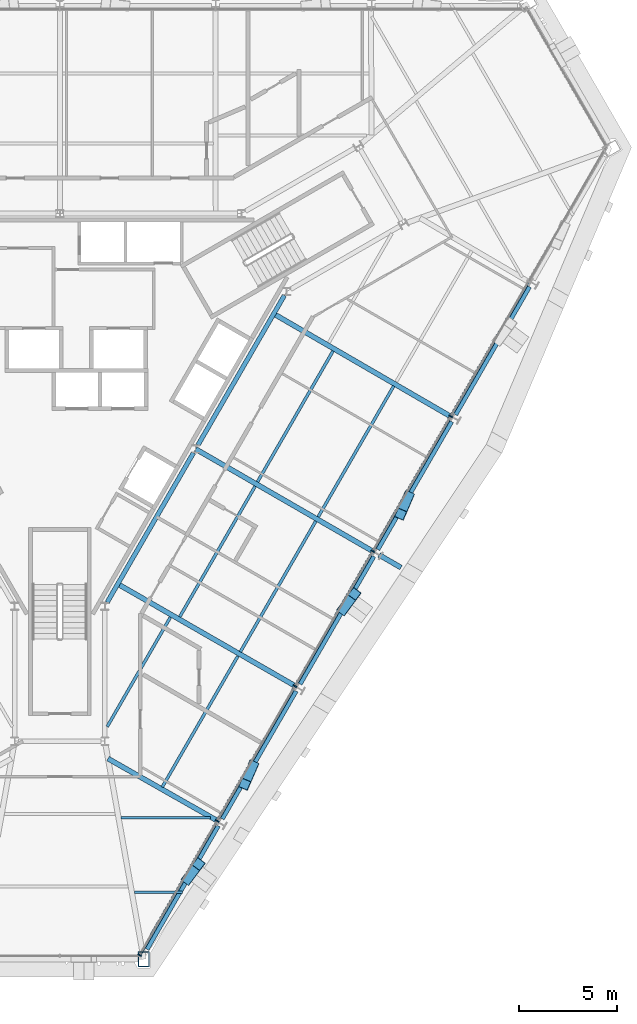
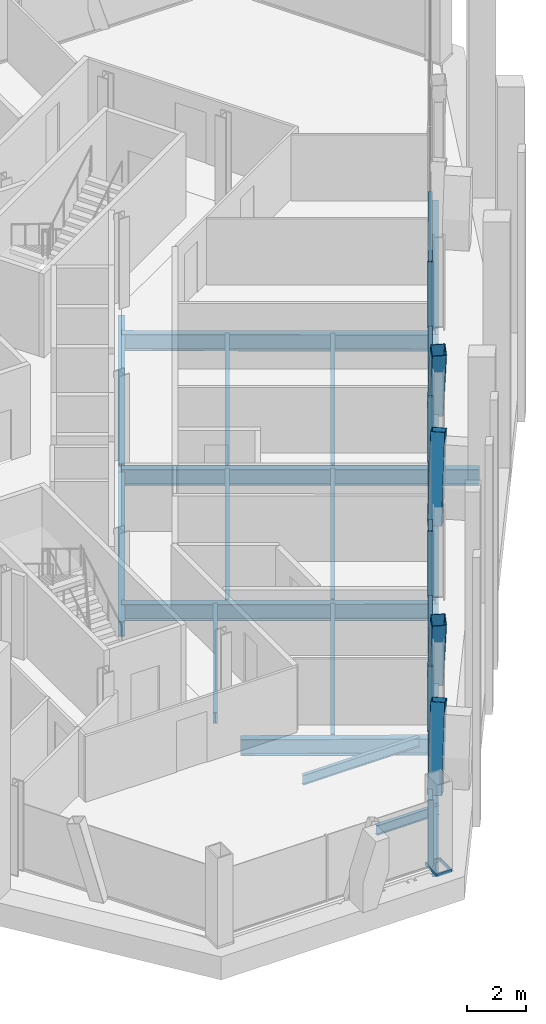
# One storey, part 5 of 15: 20 beams, 15 members, 1 element without a shape of its own.
"""IFC4 building model written with IfcOpenShell, lengths in metres."""

import ifcopenshell
import ifcopenshell.guid

model = None  # the IFC model being written
_history = None  # IfcOwnerHistory: only IFC2X3 demands one
_inside = {}  # id of a spatial element -> (the spatial element, [elements in it])
_under = {}  # id of a project, library or spatial element -> (it, [spatial elements below it])
_declared = {}  # id of a project -> (the project, [libraries it declares])
_typed = {}  # id of a type object -> (the type object, [elements of that type])
_made_of = {}  # id of a material, layer set ... -> (it, [elements and type objects made of it])


def new_model(schema):
    """Start an empty IFC model of exactly this schema.

    Asked for "IFC4X3", IfcOpenShell would pick the latest addendum, in which some entities
    have other attributes; the version numbers below select the first issue.
    IFC2X3 requires an IfcOwnerHistory on every rooted entity: one is made here for all.
    """
    global model, _history
    if schema == "IFC4X3":
        model = ifcopenshell.file(schema_version=(4, 3, 0, 0))
    else:
        model = ifcopenshell.file(schema=schema)
    _inside.clear()
    _under.clear()
    _declared.clear()
    _typed.clear()
    _made_of.clear()
    _history = None
    if model.schema == "IFC2X3":
        org = make("IfcOrganization", Name="unknown")
        user = make(
            "IfcPersonAndOrganization",
            ThePerson=make("IfcPerson", FamilyName="unknown"),
            TheOrganization=org,
        )
        app = make(
            "IfcApplication",
            ApplicationDeveloper=org,
            Version="unknown",
            ApplicationFullName="unknown",
            ApplicationIdentifier="unknown",
        )
        _history = make(
            "IfcOwnerHistory",
            OwningUser=user,
            OwningApplication=app,
            ChangeAction="ADDED",
            CreationDate=0,
        )
    return model


def make(cls, **values):
    """One entity of the class cls with the attributes given. An attribute that is None is left unset."""
    return model.create_entity(
        cls, **{name: value for name, value in values.items() if value is not None}
    )


def rooted(cls, **values):
    """An entity with a GlobalId (a new one), such as an element, a storey or a relation."""
    return make(cls, GlobalId=ifcopenshell.guid.new(), OwnerHistory=_history, **values)


def si_unit(unit_type, name, prefix=None):
    """IfcSIUnit, for example si_unit("LENGTHUNIT", "METRE", prefix="MILLI")."""
    return make("IfcSIUnit", UnitType=unit_type, Prefix=prefix, Name=name)


def assignment(units):
    """IfcUnitAssignment: the units of a project."""
    return None if units is None else make("IfcUnitAssignment", Units=units)


def point(xyz):
    """IfcCartesianPoint."""
    return None if xyz is None else make("IfcCartesianPoint", Coordinates=xyz)


def direction(xyz):
    """IfcDirection."""
    return None if xyz is None else make("IfcDirection", DirectionRatios=xyz)


def frame(location, z_axis=None, x_axis=None):
    """IfcAxis2Placement3D, a coordinate frame: its origin and axes. An axis left out is left unset."""
    return make(
        "IfcAxis2Placement3D",
        Location=point(location),
        Axis=direction(z_axis),
        RefDirection=direction(x_axis),
    )


def frame_2d(location, x_axis=None):
    """IfcAxis2Placement2D, a coordinate frame in the plane: its origin and x axis."""
    return make(
        "IfcAxis2Placement2D", Location=point(location), RefDirection=direction(x_axis)
    )


def origin():
    """The frame at (0, 0, 0) with its axes left unset."""
    return frame((0.0, 0.0, 0.0))


def origin_2d():
    """The frame at (0, 0) in the plane with its x axis left unset."""
    return frame_2d((0.0, 0.0))


def place(relative_to, where):
    """IfcLocalPlacement: puts the frame where relative to a parent placement (None: the world)."""
    return make(
        "IfcLocalPlacement", PlacementRelTo=relative_to, RelativePlacement=where
    )


def context(
    kind, dimensions, precision=None, world=None, true_north=None, identifier=None
):
    """IfcGeometricRepresentationContext, for example the 3D "Model" context."""
    return make(
        "IfcGeometricRepresentationContext",
        ContextIdentifier=identifier,
        ContextType=kind,
        CoordinateSpaceDimension=dimensions,
        Precision=precision,
        WorldCoordinateSystem=world,
        TrueNorth=true_north,
    )


def subcontext(parent, identifier, kind, view, scale=None):
    """IfcGeometricRepresentationSubContext, for example "Body" below "Model"."""
    return make(
        "IfcGeometricRepresentationSubContext",
        ContextIdentifier=identifier,
        ContextType=kind,
        ParentContext=parent,
        TargetScale=scale,
        TargetView=view,
    )


def project(units=None, contexts=None):
    """IfcProject with its units and contexts."""
    return rooted(
        "IfcProject",
        Name="project",
        RepresentationContexts=contexts,
        UnitsInContext=assignment(units),
    )


def spatial(cls, under=None, at=None, **own):
    """A site, building, storey or space (cls), placed at a placement, below another one or the project."""
    s = rooted(cls, ObjectPlacement=at, **own)
    if under is not None:
        _under.setdefault(under.id(), (under, []))[1].append(s)
    return s


def profile(cls, at=None, kind="AREA", **sizes):
    """A parametric profile (cls). Its sizes go by their IFC names, for example OverallWidth=200.0."""
    return make(cls, ProfileType=kind, Position=at, **sizes)


def rectangle(**sizes):
    """IfcRectangleProfileDef."""
    return profile("IfcRectangleProfileDef", **sizes)


def hollow_rectangle(**sizes):
    """IfcRectangleHollowProfileDef."""
    return profile("IfcRectangleHollowProfileDef", **sizes)


def i_section(**sizes):
    """IfcIShapeProfileDef."""
    return profile("IfcIShapeProfileDef", **sizes)


def extrude(swept, where, along, depth):
    """IfcExtrudedAreaSolid: the profile swept, set in the frame where, extruded along a direction by depth."""
    return make(
        "IfcExtrudedAreaSolid",
        SweptArea=swept,
        Position=where,
        ExtrudedDirection=direction(along),
        Depth=depth,
    )


def shape(context_of_items, identifier, shape_type, items):
    """IfcShapeRepresentation: the items that make up one representation, for example the "Body"."""
    return make(
        "IfcShapeRepresentation",
        ContextOfItems=context_of_items,
        RepresentationIdentifier=identifier,
        RepresentationType=shape_type,
        Items=items,
    )


def material(Name=None, Category=None):
    """IfcMaterial."""
    return make("IfcMaterial", Name=Name, Category=Category)


def material_profile(
    of_material, cross_section, Name=None, Category=None, Priority=None
):
    """IfcMaterialProfile: a cross section and its material."""
    return make(
        "IfcMaterialProfile",
        Name=Name,
        Material=of_material,
        Profile=cross_section,
        Priority=Priority,
        Category=Category,
    )


def profile_set(profiles, Name=None, composite=None):
    """IfcMaterialProfileSet."""
    return make(
        "IfcMaterialProfileSet",
        Name=Name,
        MaterialProfiles=profiles,
        CompositeProfile=composite,
    )


def made_of(thing, what):
    """Note that an element or type object is made of a material, layer set ...; save() writes the relation."""
    if what is not None:
        _made_of.setdefault(what.id(), (what, []))[1].append(thing)
    return thing


def type_object(cls, material=None, **own):
    """A type object (cls), such as IfcWallType, which elements share."""
    return made_of(rooted(cls, **own), material)


def element(
    cls,
    number,
    at=None,
    inside=None,
    cuts=None,
    type_object=None,
    material=None,
    context=None,
    identifier="Body",
    shape_type=None,
    held_by="IfcProductDefinitionShape",
    body=None,
    shapes=None,
    **own,
):
    """One element of the class cls, such as IfcWall. Its Tag is "e" and its number.

    at: its placement. inside: the storey or other place that contains it. cuts: it is an
    opening in that element (IfcRelVoidsElement). A single representation is given by context,
    identifier, shape_type and body (its items); several are given by shapes. held_by: the class
    of the entity that holds the representations. save() writes the other relations.
    """
    e = rooted(cls, Tag="e%d" % number, ObjectPlacement=at, **own)
    if body is not None:
        shapes = [shape(context, identifier, shape_type, body)]
    if shapes is not None:
        e.Representation = make(held_by, Representations=shapes)
    if inside is not None:
        _inside.setdefault(inside.id(), (inside, []))[1].append(e)
    if cuts is not None:
        rooted(
            "IfcRelVoidsElement", RelatingBuildingElement=cuts, RelatedOpeningElement=e
        )
    if type_object is not None:
        _typed.setdefault(type_object.id(), (type_object, []))[1].append(e)
    return made_of(e, material)


def aggregate(whole, parts):
    """IfcRelAggregates: a whole, such as a stair, and the parts it consists of."""
    return rooted("IfcRelAggregates", RelatingObject=whole, RelatedObjects=parts)


def save(model, path):
    """Write the relations noted so far, then the file.

    IfcRelAggregates (storeys below a building ...), IfcRelContainedInSpatialStructure (elements
    in a storey), IfcRelDefinesByType, IfcRelAssociatesMaterial and IfcRelDeclares: one each for
    every whole, place, type object, material and project.
    """
    for whole, parts in _under.values():
        aggregate(whole, parts)
    for where, things in _inside.values():
        rooted(
            "IfcRelContainedInSpatialStructure",
            RelatedElements=things,
            RelatingStructure=where,
        )
    for kind, things in _typed.values():
        rooted("IfcRelDefinesByType", RelatedObjects=things, RelatingType=kind)
    for what, things in _made_of.values():
        rooted("IfcRelAssociatesMaterial", RelatedObjects=things, RelatingMaterial=what)
    for by, libraries in _declared.values():
        rooted("IfcRelDeclares", RelatingContext=by, RelatedDefinitions=libraries)
    model.write(path)


model = new_model("IFC4")

# Units and contexts
model_context = context("Model", 3, precision=1e-05, world=origin(), true_north=direction((0.0, 1.0)))
body_context = subcontext(model_context, "Body", "Model", "MODEL_VIEW")
ifc_project = project(units=[si_unit("LENGTHUNIT", "METRE"), si_unit("AREAUNIT", "SQUARE_METRE"), si_unit("VOLUMEUNIT", "CUBIC_METRE"), si_unit("PLANEANGLEUNIT", "RADIAN"), si_unit("MASSUNIT", "GRAM", prefix="KILO")], contexts=[model_context])

# Site, building, storey
site_placement = place(None, origin())
site = spatial("IfcSite", under=ifc_project, at=site_placement, CompositionType="ELEMENT")
building_placement = place(site_placement, origin())
building = spatial("IfcBuilding", under=site, at=building_placement, Name="Verrane Prism Tower", CompositionType="ELEMENT")
storey_placement = place(building_placement, frame((0.0, 0.0, 189.5)))
storey = spatial("IfcBuildingStorey", under=building, at=storey_placement, Name="L47", CompositionType="ELEMENT", Elevation=189.5)

# Beams
ifc_material_1 = material(Name="Steel A992", Category="steel")
ifc_material_profile_1 = material_profile(ifc_material_1, i_section(OverallWidth=0.23046875, OverallDepth=0.6171875, WebThickness=0.01318359375, FlangeThickness=0.022216796875, FilletRadius=0.012939453125, at=origin_2d()), Name="W24x94")
ifc_profile_set_1 = profile_set([ifc_material_profile_1], Name="Steel A992")
beam_type_1 = type_object("IfcBeamType", Name="Core ring girder W24x94", PredefinedType="BEAM", material=ifc_profile_set_1)
beam_1_placement = place(storey_placement, frame((2.4150390625, -11.820556640625, -0.55859375), z_axis=(0.499988222896, 0.866032203192, 0.0), x_axis=(-0.866032203192, 0.499988222896, 0.0)))
element("IfcBeam", 1, at=beam_1_placement, inside=storey, type_object=beam_type_1, Name="Core ring girder L47", PredefinedType="BEAM", context=body_context, shape_type="SweptSolid", body=[
    extrude(i_section(OverallWidth=0.23046875, OverallDepth=0.6171875, WebThickness=0.01318359375, FlangeThickness=0.022216796875, FilletRadius=0.012939453125, at=origin_2d()), origin(), (0.0, 0.0, 1.0), 8.800048828125),
])
beam_2_placement = place(storey_placement, frame((7.045166015625, -3.800537109375, -0.55859375), z_axis=(0.499967414725, 0.866044216084, 0.0), x_axis=(-0.866044216084, 0.499967414725, 0.0)))
element("IfcBeam", 2, at=beam_2_placement, inside=storey, type_object=beam_type_1, Name="Core ring girder L47", PredefinedType="BEAM", context=body_context, shape_type="SweptSolid", body=[
    extrude(i_section(OverallWidth=0.23046875, OverallDepth=0.6171875, WebThickness=0.01318359375, FlangeThickness=0.022216796875, FilletRadius=0.012939453125, at=origin_2d()), origin(), (0.0, 0.0, 1.0), 8.7998046875),
])

# Members
ifc_material_2 = material(Name="Steel A500 Grade C", Category="steel")
ifc_material_profile_2 = material_profile(ifc_material_2, hollow_rectangle(XDim=0.508056640625, YDim=0.508056640625, WallThickness=0.01904296875, InnerFilletRadius=0.009521484375, OuterFilletRadius=0.028564453125, at=origin_2d()), Name="HSS20x20x3/4")
ifc_profile_set_2 = profile_set([ifc_material_profile_2], Name="Steel A500 Grade C")
member_type_1 = type_object("IfcMemberType", Name="Facade brace HSS20x20x3/4", PredefinedType="BRACE", material=ifc_profile_set_2)
member_1_placement = place(storey_placement, frame((6.51220703125, -25.914794921875, -0.216796875), z_axis=(0.170053182786, 0.225809525784, 0.959214247751), x_axis=(-0.79881655191, 0.601574697269, 0.0)))
element("IfcMember", 3, at=member_1_placement, inside=storey, type_object=member_type_1, Name="Facade brace SE0 L47", PredefinedType="BRACE", context=body_context, shape_type="SweptSolid", body=[
    extrude(hollow_rectangle(XDim=0.508056640625, YDim=0.508056640625, WallThickness=0.01904296875, InnerFilletRadius=0.009521484375, OuterFilletRadius=0.028564453125, at=origin_2d()), origin(), (0.0, 0.0, 1.0), 3.332275390625),
])
member_2_placement = place(storey_placement, frame((9.83349609375, -20.158935546875, -0.216796875), z_axis=(-0.121178905149, -0.278238411041, 0.952837373096), x_axis=(0.916822055057, -0.399296029733, 0.0)))
element("IfcMember", 4, at=member_2_placement, inside=storey, type_object=member_type_1, Name="Facade brace SE1 L47", PredefinedType="BRACE", context=body_context, shape_type="SweptSolid", body=[
    extrude(hollow_rectangle(XDim=0.508056640625, YDim=0.508056640625, WallThickness=0.01904296875, InnerFilletRadius=0.009521484375, OuterFilletRadius=0.028564453125, at=origin_2d()), origin(), (0.0, 0.0, 1.0), 3.3544921875),
])
member_3_placement = place(storey_placement, frame((14.442138671875, -12.1767578125, -0.216796875), z_axis=(0.175063394954, 0.234732478674, 0.956166027007), x_axis=(-0.801613293735, 0.597842895172, 0.0)))
element("IfcMember", 5, at=member_3_placement, inside=storey, type_object=member_type_1, Name="Facade brace SE2 L47", PredefinedType="BRACE", context=body_context, shape_type="SweptSolid", body=[
    extrude(hollow_rectangle(XDim=0.508056640625, YDim=0.508056640625, WallThickness=0.01904296875, InnerFilletRadius=0.009521484375, OuterFilletRadius=0.028564453125, at=origin_2d()), origin(), (0.0, 0.0, 1.0), 3.3427734375),
])
member_4_placement = place(storey_placement, frame((17.763427734375, -6.423583984375, -0.216796875), z_axis=(-0.116026750119, -0.269585123624, 0.955961115515), x_axis=(0.918539125292, -0.39533008399, 0.0)))
element("IfcMember", 6, at=member_4_placement, inside=storey, type_object=member_type_1, Name="Facade brace SE3 L47", PredefinedType="BRACE", context=body_context, shape_type="SweptSolid", body=[
    extrude(hollow_rectangle(XDim=0.508056640625, YDim=0.508056640625, WallThickness=0.01904296875, InnerFilletRadius=0.009521484375, OuterFilletRadius=0.028564453125, at=origin_2d()), origin(), (0.0, 0.0, 1.0), 3.343505859375),
])

# Beams
ifc_material_3 = material(Name="Steel A992", Category="steel")
ifc_material_profile_3 = material_profile(ifc_material_3, i_section(OverallWidth=0.140380859375, OverallDepth=0.40380859375, WebThickness=0.007080078125, FlangeThickness=0.01123046875, FilletRadius=0.01025390625, at=origin_2d()), Name="W16x31")
ifc_profile_set_3 = profile_set([ifc_material_profile_3], Name="Steel A992")
beam_type_2 = type_object("IfcBeamType", Name="Floor beam W16x31", PredefinedType="BEAM", material=ifc_profile_set_3)
beam_3_placement = place(storey_placement, frame((3.808837890625, -26.603271484375, -0.36181640625), z_axis=(1.0, 0.0, 0.0), x_axis=(0.0, 1.0, 0.0)))
element("IfcBeam", 7, at=beam_3_placement, inside=storey, type_object=beam_type_2, Name="Floor beam L47", PredefinedType="BEAM", context=body_context, shape_type="SweptSolid", body=[
    extrude(i_section(OverallWidth=0.140380859375, OverallDepth=0.40380859375, WebThickness=0.007080078125, FlangeThickness=0.01123046875, FilletRadius=0.01025390625, at=origin_2d()), origin(), (0.0, 0.0, 1.0), 2.43701171875),
])
beam_4_placement = place(storey_placement, frame((3.131103515625, -22.796630859375, -0.36181640625), z_axis=(1.0, 0.0, 0.0), x_axis=(0.0, 1.0, 0.0)))
element("IfcBeam", 8, at=beam_4_placement, inside=storey, type_object=beam_type_2, Name="Floor beam L47", PredefinedType="BEAM", context=body_context, shape_type="SweptSolid", body=[
    extrude(i_section(OverallWidth=0.140380859375, OverallDepth=0.40380859375, WebThickness=0.007080078125, FlangeThickness=0.01123046875, FilletRadius=0.01025390625, at=origin_2d()), origin(), (0.0, 0.0, 1.0), 4.541015625),
])
ifc_material_4 = material(Name="Steel A992", Category="steel")
ifc_material_profile_4 = material_profile(ifc_material_4, i_section(OverallWidth=0.15234375, OverallDepth=0.449462890625, WebThickness=0.007568359375, FlangeThickness=0.0107421875, FilletRadius=0.01025390625, at=origin_2d()), Name="W18x35")
ifc_profile_set_4 = profile_set([ifc_material_profile_4], Name="Steel A992")
beam_type_3 = type_object("IfcBeamType", Name="Floor beam W18x35", PredefinedType="BEAM", material=ifc_profile_set_4)
beam_5_placement = place(storey_placement, frame((5.222900390625, -21.237060546875, -0.384765625), z_axis=(0.500007761655, 0.866020922544, 0.0), x_axis=(-0.866020922544, 0.500007761655, 0.0)))
element("IfcBeam", 9, at=beam_5_placement, inside=storey, type_object=beam_type_3, Name="Floor beam L47", PredefinedType="BEAM", context=body_context, shape_type="SweptSolid", body=[
    extrude(i_section(OverallWidth=0.15234375, OverallDepth=0.449462890625, WebThickness=0.007568359375, FlangeThickness=0.0107421875, FilletRadius=0.01025390625, at=origin_2d()), origin(), (0.0, 0.0, 1.0), 7.70361328125),
])
beam_6_placement = place(storey_placement, frame((2.4150390625, -18.16064453125, -0.384765625), z_axis=(0.499994722028, 0.866028451001, 0.0), x_axis=(-0.866028451001, 0.499994722028, 0.0)))
element("IfcBeam", 10, at=beam_6_placement, inside=storey, type_object=beam_type_3, Name="Floor beam L47", PredefinedType="BEAM", context=body_context, shape_type="SweptSolid", body=[
    extrude(i_section(OverallWidth=0.15234375, OverallDepth=0.449462890625, WebThickness=0.007568359375, FlangeThickness=0.0107421875, FilletRadius=0.01025390625, at=origin_2d()), origin(), (0.0, 0.0, 1.0), 6.4423828125),
])
for number, where, z_axis, x_axis, name in (
    (11, (9.202880859375, -14.346435546875, -0.384765625), (0.500004621041, 0.866022735809, 0.0), (-0.866022735809, 0.500004621041, 0.0), "Floor beam L47"),
    (12, (6.1123046875, -12.562744140625, -0.384765625), (0.500004621041, 0.866022735809, 0.0), (-0.866022735809, 0.500004621041, 0.0), "Floor beam L47"),
):
    element("IfcBeam", number, at=place(storey_placement, frame(where, z_axis=z_axis, x_axis=x_axis)), inside=storey, type_object=beam_type_3, Name=name, PredefinedType="BEAM", context=body_context, shape_type="SweptSolid", body=[
        extrude(i_section(OverallWidth=0.15234375, OverallDepth=0.449462890625, WebThickness=0.007568359375, FlangeThickness=0.0107421875, FilletRadius=0.01025390625, at=origin_2d()), origin(), (0.0, 0.0, 1.0), 7.689453125),
    ])
beam_7_placement = place(storey_placement, frame((13.171142578125, -7.46533203125, -0.384765625), z_axis=(0.499990362368, 0.866030968003, 0.0), x_axis=(-0.866030968003, 0.499990362368, 0.0)))
element("IfcBeam", 13, at=beam_7_placement, inside=storey, type_object=beam_type_3, Name="Floor beam L47", PredefinedType="BEAM", context=body_context, shape_type="SweptSolid", body=[
    extrude(i_section(OverallWidth=0.15234375, OverallDepth=0.449462890625, WebThickness=0.007568359375, FlangeThickness=0.0107421875, FilletRadius=0.01025390625, at=origin_2d()), origin(), (0.0, 0.0, 1.0), 7.704345703125),
])
beam_8_placement = place(storey_placement, frame((10.0771484375, -5.6796875, -0.384765625), z_axis=(0.499983011228, 0.866035212034, 0.0), x_axis=(-0.866035212034, 0.499983011228, 0.0)))
element("IfcBeam", 14, at=beam_8_placement, inside=storey, type_object=beam_type_3, Name="Floor beam L47", PredefinedType="BEAM", context=body_context, shape_type="SweptSolid", body=[
    extrude(i_section(OverallWidth=0.15234375, OverallDepth=0.449462890625, WebThickness=0.007568359375, FlangeThickness=0.0107421875, FilletRadius=0.01025390625, at=origin_2d()), origin(), (0.0, 0.0, 1.0), 7.705322265625),
])

# Member
ifc_material_5 = material(Name="Steel A572 Grade 50", Category="steel")
ifc_material_profile_5 = material_profile(ifc_material_5, hollow_rectangle(XDim=0.60009765625, YDim=0.800048828125, WallThickness=0.050048828125, at=origin_2d()), Name="BOX 800x600x50")
ifc_profile_set_5 = profile_set([ifc_material_profile_5], Name="Steel A572 Grade 50")
member_type_2 = type_object("IfcMemberType", Name="Kink node BOX 800x600x50", PredefinedType="COLLAR", material=ifc_profile_set_5)
member_5_placement = place(storey_placement, frame((4.2763671875, -30.013916015625, -0.06494140625), z_axis=(0.0, 0.0, 1.0), x_axis=(-1.0, 0.0, 0.0)))
element("IfcMember", 15, at=member_5_placement, inside=storey, type_object=member_type_2, Name="Kink node MC4 L47", PredefinedType="COLLAR", context=body_context, shape_type="SweptSolid", body=[
    extrude(hollow_rectangle(XDim=0.60009765625, YDim=0.800048828125, WallThickness=0.050048828125, at=origin_2d()), origin(), (0.0, 0.0, 1.0), 0.1298828125),
])

# Curtain wall, members
ifc_material_6 = material(Name="Aluminium framed insulated glazing", Category="aluminium")
curtain_wall_type = type_object("IfcCurtainWallType", Name="Curtain wall CW-A 8400 module", PredefinedType="NOTDEFINED", material=ifc_material_6)
curtain_wall_placement = place(storey_placement, origin())
curtain_wall = element("IfcCurtainWall", 16, at=curtain_wall_placement, inside=storey, type_object=curtain_wall_type, Name="Glazed curtain wall south-east face L47", PredefinedType="NOTDEFINED")
ifc_material_7 = material(Name="Aluminium alloy 6063-T6", Category="aluminium")
ifc_material_profile_6 = material_profile(ifc_material_7, rectangle(XDim=0.199951171875, YDim=0.070068359375, at=origin_2d()), Name="Mullion 70x200 aluminium")
ifc_profile_set_6 = profile_set([ifc_material_profile_6], Name="Aluminium alloy 6063-T6")
member_type_3 = type_object("IfcMemberType", Name="Mullion 70x200 aluminium", PredefinedType="MULLION", material=ifc_profile_set_6)
member_6_placement = place(storey_placement, frame((4.07275390625, -29.807861328125, 0.0), z_axis=(0.0, 0.0, 1.0), x_axis=(-0.866025652206, 0.499999569721, 0.0)))
member_6 = element("IfcMember", 17, at=member_6_placement, type_object=member_type_3, Name="CW47.6 mullion 1", PredefinedType="MULLION", context=body_context, shape_type="SweptSolid", body=[
    extrude(rectangle(XDim=0.199951171875, YDim=0.070068359375, at=origin_2d()), origin(), (0.0, 0.0, 1.0), 2.712890625),
])
member_7_placement = place(storey_placement, frame((8.024169921875, -22.9638671875, 0.0), z_axis=(0.0, 0.0, 1.0), x_axis=(-0.866025652206, 0.499999569721, 0.0)))
member_7 = element("IfcMember", 18, at=member_7_placement, type_object=member_type_3, Name="CW47.6 mullion 2", PredefinedType="MULLION", context=body_context, shape_type="SweptSolid", body=[
    extrude(rectangle(XDim=0.199951171875, YDim=0.070068359375, at=origin_2d()), origin(), (0.0, 0.0, 1.0), 2.712890625),
])
member_8_placement = place(storey_placement, frame((11.992919921875, -16.089599609375, 0.0), z_axis=(0.0, 0.0, 1.0), x_axis=(-0.866025652206, 0.499999569721, 0.0)))
member_8 = element("IfcMember", 19, at=member_8_placement, type_object=member_type_3, Name="CW47.6 mullion 3", PredefinedType="MULLION", context=body_context, shape_type="SweptSolid", body=[
    extrude(rectangle(XDim=0.199951171875, YDim=0.070068359375, at=origin_2d()), origin(), (0.0, 0.0, 1.0), 2.712890625),
])
member_9_placement = place(storey_placement, frame((15.961669921875, -9.215576171875, 0.0), z_axis=(0.0, 0.0, 1.0), x_axis=(-0.866025652206, 0.499999569721, 0.0)))
member_9 = element("IfcMember", 20, at=member_9_placement, type_object=member_type_3, Name="CW47.6 mullion 4", PredefinedType="MULLION", context=body_context, shape_type="SweptSolid", body=[
    extrude(rectangle(XDim=0.199951171875, YDim=0.070068359375, at=origin_2d()), origin(), (0.0, 0.0, 1.0), 2.712890625),
])
member_10_placement = place(storey_placement, frame((19.9306640625, -2.34130859375, 0.0), z_axis=(0.0, 0.0, 1.0), x_axis=(-0.866025652206, 0.499999569721, 0.0)))
member_10 = element("IfcMember", 21, at=member_10_placement, type_object=member_type_3, Name="CW47.6 mullion 5", PredefinedType="MULLION", context=body_context, shape_type="SweptSolid", body=[
    extrude(rectangle(XDim=0.199951171875, YDim=0.070068359375, at=origin_2d()), origin(), (0.0, 0.0, 1.0), 2.712890625),
])

# Beams
ifc_material_8 = material(Name="Steel A992", Category="steel")
ifc_material_profile_7 = material_profile(ifc_material_8, i_section(OverallWidth=0.25390625, OverallDepth=0.683349609375, WebThickness=0.012451171875, FlangeThickness=0.01904296875, FilletRadius=0.01513671875, at=origin_2d()), Name="W27x94")
ifc_profile_set_7 = profile_set([ifc_material_profile_7], Name="Steel A992")
beam_type_4 = type_object("IfcBeamType", Name="Radial girder W27x94", PredefinedType="BEAM", material=ifc_profile_set_7)
beam_9_placement = place(storey_placement, frame((7.991455078125, -22.931396484375, -0.5615234375), z_axis=(-0.869364435305, 0.4941715073, 0.0), x_axis=(-0.4941715073, -0.869364435305, 0.0)))
element("IfcBeam", 22, at=beam_9_placement, inside=storey, type_object=beam_type_4, Name="Radial girder L47", PredefinedType="BEAM", context=body_context, shape_type="SweptSolid", body=[
    extrude(i_section(OverallWidth=0.25390625, OverallDepth=0.683349609375, WebThickness=0.012451171875, FlangeThickness=0.01904296875, FilletRadius=0.01513671875, at=origin_2d()), origin(), (0.0, 0.0, 1.0), 6.365234375),
])
beam_10_placement = place(storey_placement, frame((11.96044921875, -16.060302734375, -0.5615234375), z_axis=(-0.867032735821, 0.498251176631, 0.0), x_axis=(-0.498251176631, -0.867032735821, 0.0)))
element("IfcBeam", 23, at=beam_10_placement, inside=storey, type_object=beam_type_4, Name="Radial girder L47", PredefinedType="BEAM", context=body_context, shape_type="SweptSolid", body=[
    extrude(i_section(OverallWidth=0.25390625, OverallDepth=0.683349609375, WebThickness=0.012451171875, FlangeThickness=0.01904296875, FilletRadius=0.01513671875, at=origin_2d()), origin(), (0.0, 0.0, 1.0), 10.386474609375),
])
beam_11_placement = place(storey_placement, frame((15.920654296875, -9.1982421875, -0.5615234375), z_axis=(-0.866051705471, 0.499954441375, 0.0), x_axis=(-0.499954441375, -0.866051705471, 0.0)))
element("IfcBeam", 24, at=beam_11_placement, inside=storey, type_object=beam_type_4, Name="Radial girder L47", PredefinedType="BEAM", context=body_context, shape_type="SweptSolid", body=[
    extrude(i_section(OverallWidth=0.25390625, OverallDepth=0.683349609375, WebThickness=0.012451171875, FlangeThickness=0.01904296875, FilletRadius=0.01513671875, at=origin_2d()), origin(), (0.0, 0.0, 1.0), 10.38525390625),
])
beam_12_placement = place(storey_placement, frame((19.889404296875, -2.325927734375, -0.5615234375), z_axis=(-0.865037106107, 0.501707888176, 0.0), x_axis=(-0.501707888176, -0.865037106107, 0.0)))
element("IfcBeam", 25, at=beam_12_placement, inside=storey, type_object=beam_type_4, Name="Radial girder L47", PredefinedType="BEAM", context=body_context, shape_type="SweptSolid", body=[
    extrude(i_section(OverallWidth=0.25390625, OverallDepth=0.683349609375, WebThickness=0.012451171875, FlangeThickness=0.01904296875, FilletRadius=0.01513671875, at=origin_2d()), origin(), (0.0, 0.0, 1.0), 10.386474609375),
])
beam_13_placement = place(storey_placement, frame((16.277587890625, -9.40478515625, -0.5615234375), z_axis=(0.865987073961, -0.500066383325, 0.0), x_axis=(0.500066383325, 0.865987073961, 0.0)))
element("IfcBeam", 26, at=beam_13_placement, inside=storey, type_object=beam_type_4, Name="Cantilever girder L47", PredefinedType="BEAM", context=body_context, shape_type="SweptSolid", body=[
    extrude(i_section(OverallWidth=0.25390625, OverallDepth=0.683349609375, WebThickness=0.012451171875, FlangeThickness=0.01904296875, FilletRadius=0.01513671875, at=origin_2d()), origin(), (0.0, 0.0, 1.0), 1.290283203125),
])
ifc_material_9 = material(Name="Steel A992", Category="steel")
ifc_material_profile_8 = material_profile(ifc_material_9, i_section(OverallWidth=0.23046875, OverallDepth=0.6171875, WebThickness=0.01318359375, FlangeThickness=0.022216796875, FilletRadius=0.012939453125, at=origin_2d()), Name="W24x94")
ifc_profile_set_8 = profile_set([ifc_material_profile_8], Name="Steel A992")
beam_type_5 = type_object("IfcBeamType", Name="Spandrel beam W24x94", PredefinedType="SPANDREL", material=ifc_profile_set_8)
beam_14_placement = place(storey_placement, frame((4.443115234375, -29.504638671875, -0.468505859375), z_axis=(0.499378153169, 0.866384129666, 0.0), x_axis=(-0.866384129666, 0.499378153169, 0.0)))
element("IfcBeam", 27, at=beam_14_placement, inside=storey, type_object=beam_type_5, Name="Spandrel beam L47", PredefinedType="SPANDREL", context=body_context, shape_type="SweptSolid", body=[
    extrude(i_section(OverallWidth=0.23046875, OverallDepth=0.6171875, WebThickness=0.01318359375, FlangeThickness=0.022216796875, FilletRadius=0.012939453125, at=origin_2d()), origin(), (0.0, 0.0, 1.0), 7.264892578125),
])
beam_15_placement = place(storey_placement, frame((8.274169921875, -22.8583984375, -0.468505859375), z_axis=(0.500178170907, 0.865922512323, 0.0), x_axis=(-0.865922512323, 0.500178170907, 0.0)))
element("IfcBeam", 28, at=beam_15_placement, inside=storey, type_object=beam_type_5, Name="Spandrel beam L47", PredefinedType="SPANDREL", context=body_context, shape_type="SweptSolid", body=[
    extrude(i_section(OverallWidth=0.23046875, OverallDepth=0.6171875, WebThickness=0.01318359375, FlangeThickness=0.022216796875, FilletRadius=0.012939453125, at=origin_2d()), origin(), (0.0, 0.0, 1.0), 7.527587890625),
])
beam_16_placement = place(storey_placement, frame((12.242431640625, -15.988037109375, -0.468505859375), z_axis=(0.499866795347, 0.866102295869, 0.0), x_axis=(-0.866102295869, 0.499866795347, 0.0)))
element("IfcBeam", 29, at=beam_16_placement, inside=storey, type_object=beam_type_5, Name="Spandrel beam L47", PredefinedType="SPANDREL", context=body_context, shape_type="SweptSolid", body=[
    extrude(i_section(OverallWidth=0.23046875, OverallDepth=0.6171875, WebThickness=0.01318359375, FlangeThickness=0.022216796875, FilletRadius=0.012939453125, at=origin_2d()), origin(), (0.0, 0.0, 1.0), 7.51611328125),
])
beam_17_placement = place(storey_placement, frame((16.20263671875, -9.12646484375, -0.468505859375), z_axis=(0.500104173671, 0.865965250733, 0.0), x_axis=(-0.865965250733, 0.500104173671, 0.0)))
element("IfcBeam", 30, at=beam_17_placement, inside=storey, type_object=beam_type_5, Name="Spandrel beam L47", PredefinedType="SPANDREL", context=body_context, shape_type="SweptSolid", body=[
    extrude(i_section(OverallWidth=0.23046875, OverallDepth=0.6171875, WebThickness=0.01318359375, FlangeThickness=0.022216796875, FilletRadius=0.012939453125, at=origin_2d()), origin(), (0.0, 0.0, 1.0), 7.529296875),
])
beam_18_placement = place(storey_placement, frame((20.171142578125, -2.25439453125, -0.468505859375), z_axis=(0.500032236818, 0.866006791049, 0.0), x_axis=(-0.866006791049, 0.500032236818, 0.0)))
element("IfcBeam", 31, at=beam_18_placement, inside=storey, type_object=beam_type_5, Name="Spandrel beam L47", PredefinedType="SPANDREL", context=body_context, shape_type="SweptSolid", body=[
    extrude(i_section(OverallWidth=0.23046875, OverallDepth=0.6171875, WebThickness=0.01318359375, FlangeThickness=0.022216796875, FilletRadius=0.012939453125, at=origin_2d()), origin(), (0.0, 0.0, 1.0), 7.52685546875),
])

# Member
ifc_material_10 = material(Name="Aluminium alloy 6063-T6", Category="aluminium")
ifc_material_profile_9 = material_profile(ifc_material_10, rectangle(XDim=0.14990234375, YDim=0.070068359375, at=origin_2d()), Name="Transom 70x150 aluminium")
ifc_profile_set_9 = profile_set([ifc_material_profile_9], Name="Aluminium alloy 6063-T6")
member_type_4 = type_object("IfcMemberType", Name="Transom 70x150 aluminium", PredefinedType="USERDEFINED", material=ifc_profile_set_9)
member_11_placement = place(storey_placement, frame((4.09033203125, -29.777587890625, 0.034912109375), z_axis=(0.499984168422, 0.866034543957, 0.0), x_axis=(-0.866034543957, 0.499984168422, 0.0)))
member_11 = element("IfcMember", 32, at=member_11_placement, type_object=member_type_4, Name="CW47.6 transom 1", ObjectType="TRANSOM", PredefinedType="USERDEFINED", context=body_context, shape_type="SweptSolid", body=[
    extrude(rectangle(XDim=0.14990234375, YDim=0.070068359375, at=origin_2d()), origin(), (0.0, 0.0, 1.0), 7.832763671875),
])

member_12_placement = place(storey_placement, frame((8.04150390625, -22.93359375, 0.034912109375), z_axis=(0.50000718421, 0.866021255939, 0.0), x_axis=(-0.866021255939, 0.50000718421, 0.0)))
member_12 = element("IfcMember", 33, at=member_12_placement, type_object=member_type_4, Name="CW47.6 transom 2", ObjectType="TRANSOM", PredefinedType="USERDEFINED", context=body_context, shape_type="SweptSolid", body=[
    extrude(rectangle(XDim=0.14990234375, YDim=0.070068359375, at=origin_2d()), origin(), (0.0, 0.0, 1.0), 7.86767578125),
])

member_13_placement = place(storey_placement, frame((12.010498046875, -16.059326171875, 0.034912109375), z_axis=(0.50000718421, 0.866021255939, 0.0), x_axis=(-0.866021255939, 0.50000718421, 0.0)))
member_13 = element("IfcMember", 34, at=member_13_placement, type_object=member_type_4, Name="CW47.6 transom 3", ObjectType="TRANSOM", PredefinedType="USERDEFINED", context=body_context, shape_type="SweptSolid", body=[
    extrude(rectangle(XDim=0.14990234375, YDim=0.070068359375, at=origin_2d()), origin(), (0.0, 0.0, 1.0), 7.86767578125),
])

member_14_placement = place(storey_placement, frame((15.979248046875, -9.185302734375, 0.034912109375), z_axis=(0.49999374744, 0.866029013672, 0.0), x_axis=(-0.866029013672, 0.49999374744, 0.0)))
member_14 = element("IfcMember", 35, at=member_14_placement, type_object=member_type_4, Name="CW47.6 transom 4", ObjectType="TRANSOM", PredefinedType="USERDEFINED", context=body_context, shape_type="SweptSolid", body=[
    extrude(rectangle(XDim=0.14990234375, YDim=0.070068359375, at=origin_2d()), origin(), (0.0, 0.0, 1.0), 7.86767578125),
])

member_15_placement = place(storey_placement, frame((19.947998046875, -2.31103515625, 0.034912109375), z_axis=(0.49999374744, 0.866029013672, 0.0), x_axis=(-0.866029013672, 0.49999374744, 0.0)))
member_15 = element("IfcMember", 36, at=member_15_placement, type_object=member_type_4, Name="CW47.6 transom 5", ObjectType="TRANSOM", PredefinedType="USERDEFINED", context=body_context, shape_type="SweptSolid", body=[
    extrude(rectangle(XDim=0.14990234375, YDim=0.070068359375, at=origin_2d()), origin(), (0.0, 0.0, 1.0), 7.86767578125),
])

aggregate(curtain_wall, [member_6, member_7, member_8, member_9, member_10, member_11, member_12, member_13, member_14, member_15])

save(model, "model.ifc")
